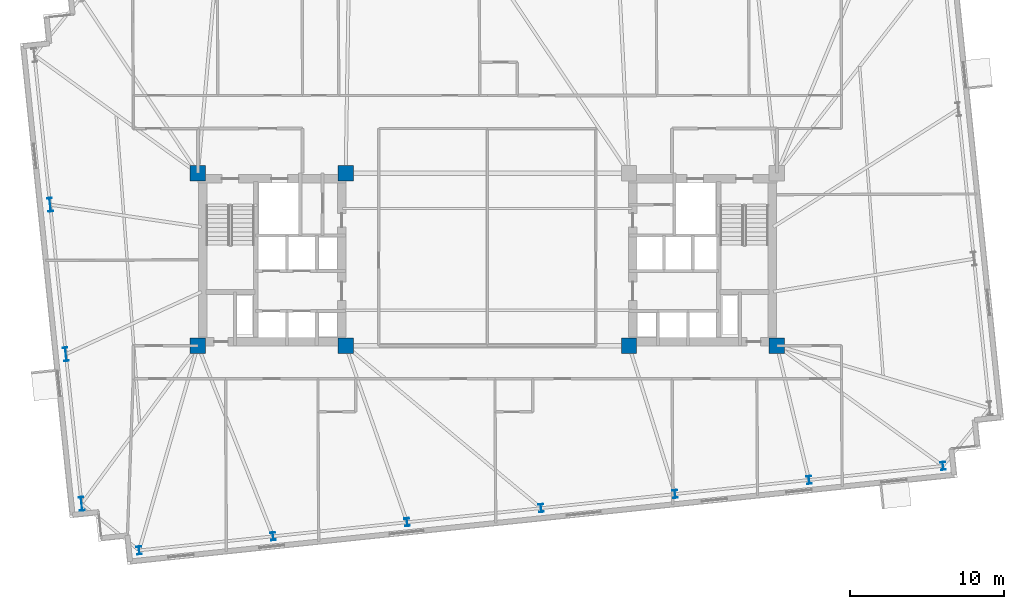
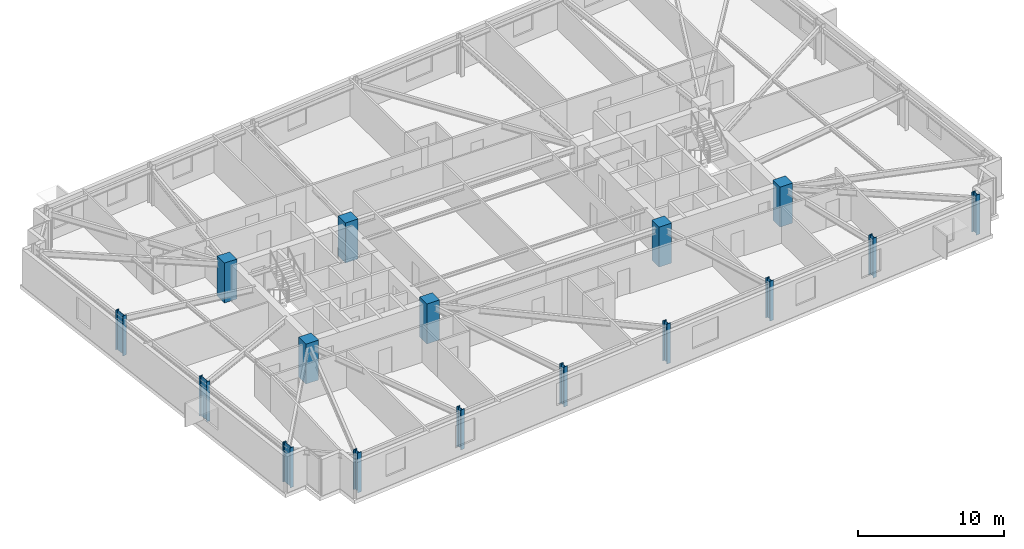
# One storey, part 1 of 17: 16 columns.
"""IFC4 building model written with IfcOpenShell, lengths in metres."""

from ifc_helpers import new_model, si_unit, direction, frame, origin, origin_2d, place, context, subcontext, project, spatial, rectangle, i_section, extrude, material, material_profile, profile_set, type_object, element, save


model = new_model("IFC4")

# Units and contexts
model_context = context("Model", 3, precision=1e-05, world=origin(), true_north=direction((0.0, 1.0)))
body_context = subcontext(model_context, "Body", "Model", "MODEL_VIEW")
ifc_project = project(units=[si_unit("LENGTHUNIT", "METRE"), si_unit("AREAUNIT", "SQUARE_METRE"), si_unit("VOLUMEUNIT", "CUBIC_METRE"), si_unit("PLANEANGLEUNIT", "RADIAN"), si_unit("MASSUNIT", "GRAM", prefix="KILO")], contexts=[model_context])

# Site, building, storey
site_placement = place(None, origin())
site = spatial("IfcSite", under=ifc_project, at=site_placement, CompositionType="ELEMENT")
building_placement = place(site_placement, origin())
building = spatial("IfcBuilding", under=site, at=building_placement, Name="Qobustan Lattice House", CompositionType="ELEMENT")
storey_placement = place(building_placement, frame((0.0, 0.0, 112.5)))
storey = spatial("IfcBuildingStorey", under=building, at=storey_placement, Name="L31", CompositionType="ELEMENT", Elevation=112.5)

# Columns
ifc_material_1 = material(Name="Concrete C60/75", Category="concrete")
ifc_material_profile_1 = material_profile(ifc_material_1, rectangle(XDim=1.0, YDim=1.0, at=origin_2d()), Name="RC1000x1000")
ifc_profile_set_1 = profile_set([ifc_material_profile_1], Name="Concrete C60/75")
column_type_1 = type_object("IfcColumnType", Name="COL-RC-1000", PredefinedType="COLUMN", material=ifc_profile_set_1)
for number, where, z_axis, x_axis, name in (
    (1, (-18.800048828125, -5.60009765625, 0.0), (0.0, 0.0, 1.0), (1.0, 0.0, 0.0), "L31 core mega-column CW-SW"),
    (2, (-18.800048828125, 5.60009765625, 0.0), (0.0, 0.0, 1.0), (1.0, 0.0, 0.0), "L31 core mega-column CW-NW"),
    (3, (-9.199951171875, -5.60009765625, 0.0), (0.0, 0.0, 1.0), (1.0, 0.0, 0.0), "L31 core mega-column CW-SE"),
    (4, (-9.199951171875, 5.60009765625, 0.0), (0.0, 0.0, 1.0), (1.0, 0.0, 0.0), "L31 core mega-column CW-NE"),
    (5, (9.199951171875, -5.60009765625, 0.0), (0.0, 0.0, 1.0), (1.0, 0.0, 0.0), "L31 core mega-column CE-SW"),
    (6, (18.800048828125, -5.60009765625, 0.0), (0.0, 0.0, 1.0), (1.0, 0.0, 0.0), "L31 core mega-column CE-SE"),
):
    element("IfcColumn", number, at=place(storey_placement, frame(where, z_axis=z_axis, x_axis=x_axis)), inside=storey, type_object=column_type_1, Name=name, PredefinedType="COLUMN", context=body_context, shape_type="SweptSolid", body=[
        extrude(rectangle(XDim=1.0, YDim=1.0, at=origin_2d()), origin(), (0.0, 0.0, 1.0), 3.35009765625),
    ])
ifc_material_2 = material(Name="Steel S355", Category="steel")
ifc_material_profile_2 = material_profile(ifc_material_2, i_section(OverallWidth=0.300048828125, OverallDepth=0.89990234375, WebThickness=0.0185546875, FlangeThickness=0.034912109375, FilletRadius=0.030029296875, at=origin_2d()), Name="HEB900")
ifc_profile_set_2 = profile_set([ifc_material_profile_2], Name="Steel S355")
column_type_2 = type_object("IfcColumnType", Name="COL-ST-HEB900", PredefinedType="COLUMN", material=ifc_profile_set_2)
for number, where, z_axis, x_axis, name in (
    (7, (-28.39794921875, 3.557373046875, 0.0), (0.0, 0.0, 1.0), (0.994521895368, 0.104528463268, 0.0), "L31 B2 perimeter column W2"),
    (8, (-27.377197265625, -6.156005859375, 0.0), (0.0, 0.0, 1.0), (0.994521895368, 0.104528463268, 0.0), "L31 B2 perimeter column W3"),
    (9, (-26.356201171875, -15.868896484375, 0.0), (0.0, 0.0, 1.0), (0.994521895368, 0.104528463268, 0.0), "L31 B2 perimeter column W4"),
):
    element("IfcColumn", number, at=place(storey_placement, frame(where, z_axis=z_axis, x_axis=x_axis)), inside=storey, type_object=column_type_2, Name=name, PredefinedType="COLUMN", context=body_context, shape_type="SweptSolid", body=[
        extrude(i_section(OverallWidth=0.300048828125, OverallDepth=0.89990234375, WebThickness=0.0185546875, FlangeThickness=0.034912109375, FilletRadius=0.030029296875, at=origin_2d()), origin(), (0.0, 0.0, 1.0), 3.35009765625),
    ])
ifc_material_3 = material(Name="Steel S355", Category="steel")
ifc_material_profile_3 = material_profile(ifc_material_3, i_section(OverallWidth=0.305908203125, OverallDepth=0.52392578125, WebThickness=0.02099609375, FlangeThickness=0.0400390625, FilletRadius=0.027099609375, at=origin_2d()), Name="HEM500")
ifc_profile_set_3 = profile_set([ifc_material_profile_3], Name="Steel S355")
column_type_3 = type_object("IfcColumnType", Name="COL-ST-HEM500", PredefinedType="COLUMN", material=ifc_profile_set_3)
for number, where, z_axis, x_axis, name in (
    (10, (-22.619384765625, -18.89501953125, 0.0), (0.0, 0.0, 1.0), (0.994521895368, 0.104528463268, 0.0), "L31 B2 perimeter column S1"),
    (11, (-13.91748046875, -17.98046875, 0.0), (0.0, 0.0, 1.0), (0.994521895368, 0.104528463268, 0.0), "L31 B2 perimeter column S2"),
    (12, (-5.21533203125, -17.065673828125, 0.0), (0.0, 0.0, 1.0), (0.994521895368, 0.104528463268, 0.0), "L31 B2 perimeter column S3"),
    (13, (3.48681640625, -16.151123046875, 0.0), (0.0, 0.0, 1.0), (0.994521895368, 0.104528463268, 0.0), "L31 B2 perimeter column S4"),
    (14, (12.188720703125, -15.236572265625, 0.0), (0.0, 0.0, 1.0), (0.994521895368, 0.104528463268, 0.0), "L31 B2 perimeter column S5"),
    (15, (20.890869140625, -14.322021484375, 0.0), (0.0, 0.0, 1.0), (0.994521895368, 0.104528463268, 0.0), "L31 B2 perimeter column S6"),
    (16, (29.593017578125, -13.4072265625, 0.0), (0.0, 0.0, 1.0), (0.994521895368, 0.104528463268, 0.0), "L31 B2 perimeter column S7"),
):
    element("IfcColumn", number, at=place(storey_placement, frame(where, z_axis=z_axis, x_axis=x_axis)), inside=storey, type_object=column_type_3, Name=name, PredefinedType="COLUMN", context=body_context, shape_type="SweptSolid", body=[
        extrude(i_section(OverallWidth=0.305908203125, OverallDepth=0.52392578125, WebThickness=0.02099609375, FlangeThickness=0.0400390625, FilletRadius=0.027099609375, at=origin_2d()), origin(), (0.0, 0.0, 1.0), 3.35009765625),
    ])

save(model, "model.ifc")
